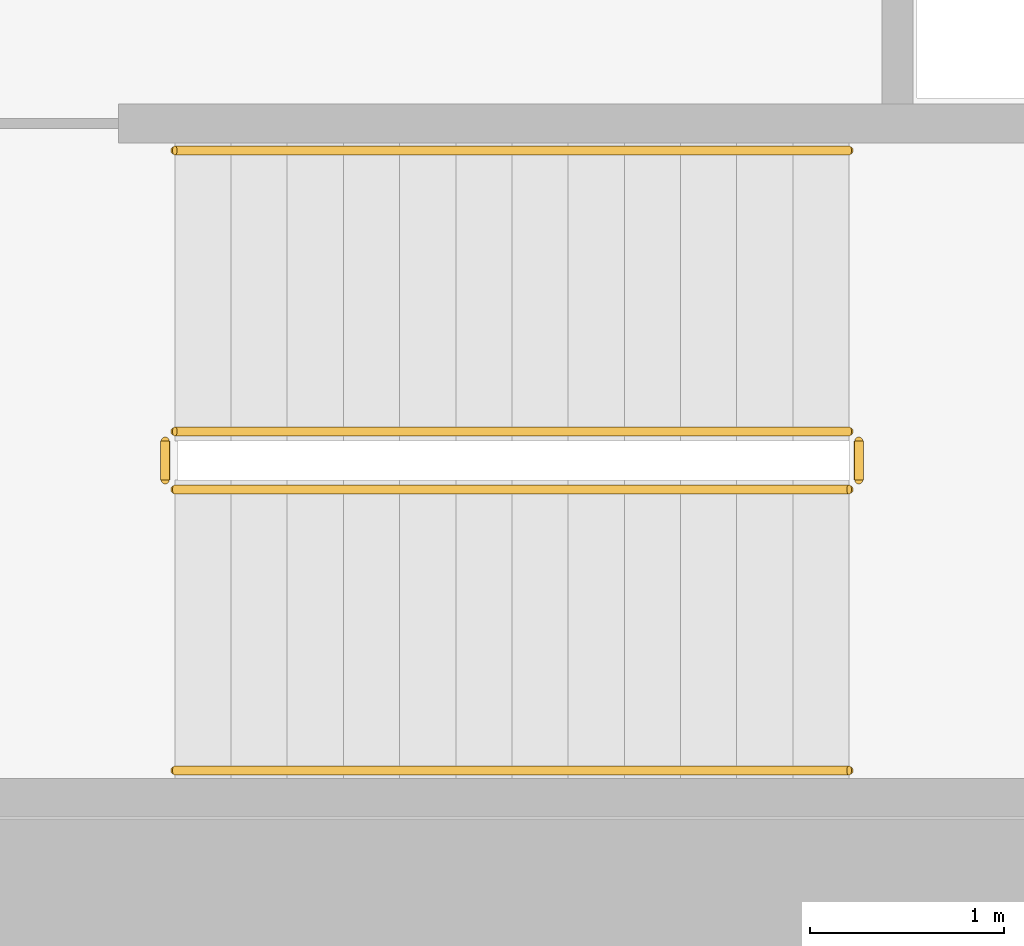
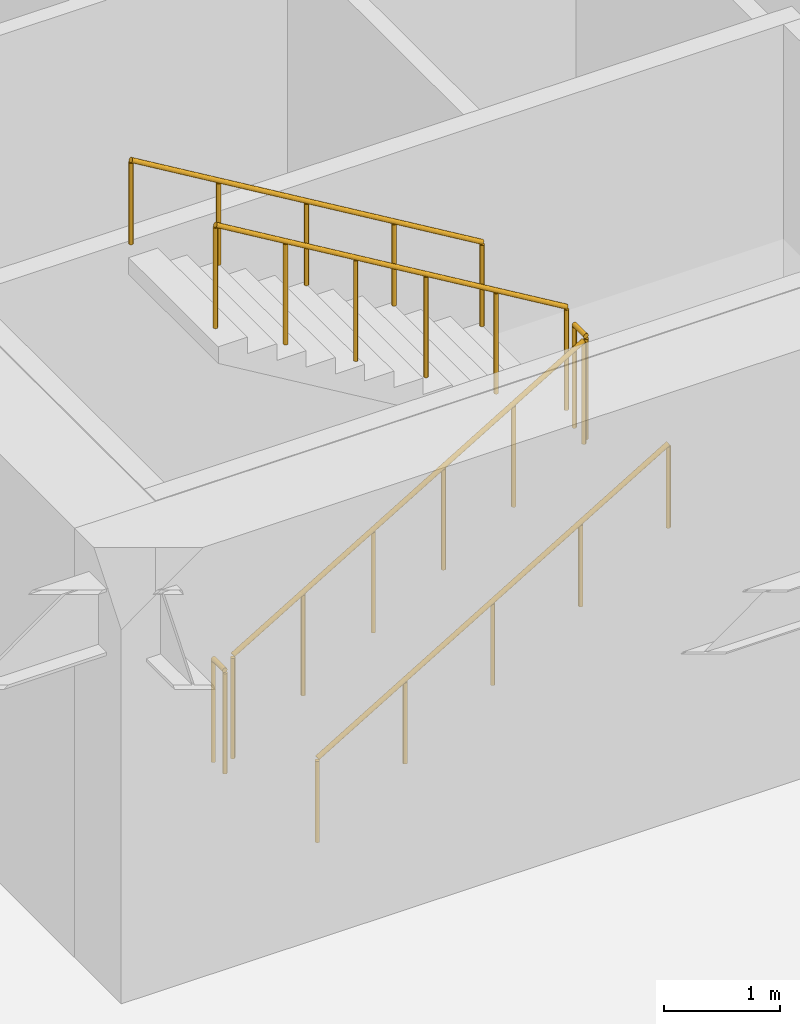
# One storey, part 8 of 10: 6 railings.
"""IFC4 building model written with IfcOpenShell, lengths in metres."""

import ifcopenshell
import ifcopenshell.guid

model = None  # the IFC model being written
_history = None  # IfcOwnerHistory: only IFC2X3 demands one
_inside = {}  # id of a spatial element -> (the spatial element, [elements in it])
_under = {}  # id of a project, library or spatial element -> (it, [spatial elements below it])
_declared = {}  # id of a project -> (the project, [libraries it declares])
_typed = {}  # id of a type object -> (the type object, [elements of that type])
_made_of = {}  # id of a material, layer set ... -> (it, [elements and type objects made of it])


def new_model(schema):
    """Start an empty IFC model of exactly this schema.

    Asked for "IFC4X3", IfcOpenShell would pick the latest addendum, in which some entities
    have other attributes; the version numbers below select the first issue.
    IFC2X3 requires an IfcOwnerHistory on every rooted entity: one is made here for all.
    """
    global model, _history
    if schema == "IFC4X3":
        model = ifcopenshell.file(schema_version=(4, 3, 0, 0))
    else:
        model = ifcopenshell.file(schema=schema)
    _inside.clear()
    _under.clear()
    _declared.clear()
    _typed.clear()
    _made_of.clear()
    _history = None
    if model.schema == "IFC2X3":
        org = make("IfcOrganization", Name="unknown")
        user = make(
            "IfcPersonAndOrganization",
            ThePerson=make("IfcPerson", FamilyName="unknown"),
            TheOrganization=org,
        )
        app = make(
            "IfcApplication",
            ApplicationDeveloper=org,
            Version="unknown",
            ApplicationFullName="unknown",
            ApplicationIdentifier="unknown",
        )
        _history = make(
            "IfcOwnerHistory",
            OwningUser=user,
            OwningApplication=app,
            ChangeAction="ADDED",
            CreationDate=0,
        )
    return model


def make(cls, **values):
    """One entity of the class cls with the attributes given. An attribute that is None is left unset."""
    return model.create_entity(
        cls, **{name: value for name, value in values.items() if value is not None}
    )


def rooted(cls, **values):
    """An entity with a GlobalId (a new one), such as an element, a storey or a relation."""
    return make(cls, GlobalId=ifcopenshell.guid.new(), OwnerHistory=_history, **values)


def si_unit(unit_type, name, prefix=None):
    """IfcSIUnit, for example si_unit("LENGTHUNIT", "METRE", prefix="MILLI")."""
    return make("IfcSIUnit", UnitType=unit_type, Prefix=prefix, Name=name)


def assignment(units):
    """IfcUnitAssignment: the units of a project."""
    return None if units is None else make("IfcUnitAssignment", Units=units)


def point(xyz):
    """IfcCartesianPoint."""
    return None if xyz is None else make("IfcCartesianPoint", Coordinates=xyz)


def direction(xyz):
    """IfcDirection."""
    return None if xyz is None else make("IfcDirection", DirectionRatios=xyz)


def frame(location, z_axis=None, x_axis=None):
    """IfcAxis2Placement3D, a coordinate frame: its origin and axes. An axis left out is left unset."""
    return make(
        "IfcAxis2Placement3D",
        Location=point(location),
        Axis=direction(z_axis),
        RefDirection=direction(x_axis),
    )


def frame_2d(location, x_axis=None):
    """IfcAxis2Placement2D, a coordinate frame in the plane: its origin and x axis."""
    return make(
        "IfcAxis2Placement2D", Location=point(location), RefDirection=direction(x_axis)
    )


def origin():
    """The frame at (0, 0, 0) with its axes left unset."""
    return frame((0.0, 0.0, 0.0))


def origin_2d():
    """The frame at (0, 0) in the plane with its x axis left unset."""
    return frame_2d((0.0, 0.0))


def place(relative_to, where):
    """IfcLocalPlacement: puts the frame where relative to a parent placement (None: the world)."""
    return make(
        "IfcLocalPlacement", PlacementRelTo=relative_to, RelativePlacement=where
    )


def context(
    kind, dimensions, precision=None, world=None, true_north=None, identifier=None
):
    """IfcGeometricRepresentationContext, for example the 3D "Model" context."""
    return make(
        "IfcGeometricRepresentationContext",
        ContextIdentifier=identifier,
        ContextType=kind,
        CoordinateSpaceDimension=dimensions,
        Precision=precision,
        WorldCoordinateSystem=world,
        TrueNorth=true_north,
    )


def subcontext(parent, identifier, kind, view, scale=None):
    """IfcGeometricRepresentationSubContext, for example "Body" below "Model"."""
    return make(
        "IfcGeometricRepresentationSubContext",
        ContextIdentifier=identifier,
        ContextType=kind,
        ParentContext=parent,
        TargetScale=scale,
        TargetView=view,
    )


def project(units=None, contexts=None):
    """IfcProject with its units and contexts."""
    return rooted(
        "IfcProject",
        Name="project",
        RepresentationContexts=contexts,
        UnitsInContext=assignment(units),
    )


def spatial(cls, under=None, at=None, **own):
    """A site, building, storey or space (cls), placed at a placement, below another one or the project."""
    s = rooted(cls, ObjectPlacement=at, **own)
    if under is not None:
        _under.setdefault(under.id(), (under, []))[1].append(s)
    return s


def profile(cls, at=None, kind="AREA", **sizes):
    """A parametric profile (cls). Its sizes go by their IFC names, for example OverallWidth=200.0."""
    return make(cls, ProfileType=kind, Position=at, **sizes)


def circle(**sizes):
    """IfcCircleProfileDef."""
    return profile("IfcCircleProfileDef", **sizes)


def extrude(swept, where, along, depth):
    """IfcExtrudedAreaSolid: the profile swept, set in the frame where, extruded along a direction by depth."""
    return make(
        "IfcExtrudedAreaSolid",
        SweptArea=swept,
        Position=where,
        ExtrudedDirection=direction(along),
        Depth=depth,
    )


def shape(context_of_items, identifier, shape_type, items):
    """IfcShapeRepresentation: the items that make up one representation, for example the "Body"."""
    return make(
        "IfcShapeRepresentation",
        ContextOfItems=context_of_items,
        RepresentationIdentifier=identifier,
        RepresentationType=shape_type,
        Items=items,
    )


def material(Name=None, Category=None):
    """IfcMaterial."""
    return make("IfcMaterial", Name=Name, Category=Category)


def made_of(thing, what):
    """Note that an element or type object is made of a material, layer set ...; save() writes the relation."""
    if what is not None:
        _made_of.setdefault(what.id(), (what, []))[1].append(thing)
    return thing


def type_object(cls, material=None, **own):
    """A type object (cls), such as IfcWallType, which elements share."""
    return made_of(rooted(cls, **own), material)


def element(
    cls,
    number,
    at=None,
    inside=None,
    cuts=None,
    type_object=None,
    material=None,
    context=None,
    identifier="Body",
    shape_type=None,
    held_by="IfcProductDefinitionShape",
    body=None,
    shapes=None,
    **own,
):
    """One element of the class cls, such as IfcWall. Its Tag is "e" and its number.

    at: its placement. inside: the storey or other place that contains it. cuts: it is an
    opening in that element (IfcRelVoidsElement). A single representation is given by context,
    identifier, shape_type and body (its items); several are given by shapes. held_by: the class
    of the entity that holds the representations. save() writes the other relations.
    """
    e = rooted(cls, Tag="e%d" % number, ObjectPlacement=at, **own)
    if body is not None:
        shapes = [shape(context, identifier, shape_type, body)]
    if shapes is not None:
        e.Representation = make(held_by, Representations=shapes)
    if inside is not None:
        _inside.setdefault(inside.id(), (inside, []))[1].append(e)
    if cuts is not None:
        rooted(
            "IfcRelVoidsElement", RelatingBuildingElement=cuts, RelatedOpeningElement=e
        )
    if type_object is not None:
        _typed.setdefault(type_object.id(), (type_object, []))[1].append(e)
    return made_of(e, material)


def aggregate(whole, parts):
    """IfcRelAggregates: a whole, such as a stair, and the parts it consists of."""
    return rooted("IfcRelAggregates", RelatingObject=whole, RelatedObjects=parts)


def save(model, path):
    """Write the relations noted so far, then the file.

    IfcRelAggregates (storeys below a building ...), IfcRelContainedInSpatialStructure (elements
    in a storey), IfcRelDefinesByType, IfcRelAssociatesMaterial and IfcRelDeclares: one each for
    every whole, place, type object, material and project.
    """
    for whole, parts in _under.values():
        aggregate(whole, parts)
    for where, things in _inside.values():
        rooted(
            "IfcRelContainedInSpatialStructure",
            RelatedElements=things,
            RelatingStructure=where,
        )
    for kind, things in _typed.values():
        rooted("IfcRelDefinesByType", RelatedObjects=things, RelatingType=kind)
    for what, things in _made_of.values():
        rooted("IfcRelAssociatesMaterial", RelatedObjects=things, RelatingMaterial=what)
    for by, libraries in _declared.values():
        rooted("IfcRelDeclares", RelatingContext=by, RelatedDefinitions=libraries)
    model.write(path)


model = new_model("IFC4")

# Units and contexts
model_context = context("Model", 3, precision=1e-05, world=origin(), true_north=direction((0.0, 1.0)))
body_context = subcontext(model_context, "Body", "Model", "MODEL_VIEW")
ifc_project = project(units=[si_unit("LENGTHUNIT", "METRE"), si_unit("AREAUNIT", "SQUARE_METRE"), si_unit("VOLUMEUNIT", "CUBIC_METRE"), si_unit("PLANEANGLEUNIT", "RADIAN"), si_unit("MASSUNIT", "GRAM", prefix="KILO")], contexts=[model_context])

# Site, building, storey
site_placement = place(None, origin())
site = spatial("IfcSite", under=ifc_project, at=site_placement, CompositionType="ELEMENT")
building_placement = place(site_placement, origin())
building = spatial("IfcBuilding", under=site, at=building_placement, Name="Putna Gate Headquarters", CompositionType="ELEMENT")
storey_placement = place(building_placement, frame((0.0, 0.0, -9.0)))
storey = spatial("IfcBuildingStorey", under=building, at=storey_placement, Name="B02", CompositionType="ELEMENT", Elevation=-9.0)

# Railings
ifc_material_1 = material(Name="Powder-coated steel stair guardrail", Category="steel")
railing_type_1 = type_object("IfcRailingType", Name="RAIL-STAIR-GUARD-1100", PredefinedType="GUARDRAIL", material=ifc_material_1)
railing_1_placement = place(storey_placement, frame((15.14990234375, 21.10009765625, 0.173095703125)))
element("IfcRailing", 1, at=railing_1_placement, inside=storey, type_object=railing_type_1, Name="B02 ST1 stair guard 1", PredefinedType="GUARDRAIL", context=body_context, shape_type="SweptSolid", body=[
    extrude(circle(Radius=0.02392578125, at=origin_2d()), frame((0.0, 0.0, 1.076171875), z_axis=(0.858697190188, 0.0, 0.512483302717), x_axis=(0.0, 1.0, 0.0)), (0.0, 0.0, 1.0), 4.052734375),
    extrude(circle(Radius=0.02099609375, at=origin_2d()), origin(), (0.0, 0.0, 1.0), 1.052001953125),
    extrude(circle(Radius=0.02099609375, at=origin_2d()), frame((0.696044921875, 0.0, 0.415283203125)), (0.0, 0.0, 1.0), 1.052001953125),
    extrude(circle(Radius=0.02099609375, at=origin_2d()), frame((1.39208984375, 0.0, 0.830810546875)), (0.0, 0.0, 1.0), 1.052001953125),
    extrude(circle(Radius=0.02099609375, at=origin_2d()), frame((2.087890625, 0.0, 1.24609375)), (0.0, 0.0, 1.0), 1.052001953125),
    extrude(circle(Radius=0.02099609375, at=origin_2d()), frame((2.783935546875, 0.0, 1.66162109375)), (0.0, 0.0, 1.0), 1.052001953125),
    extrude(circle(Radius=0.02099609375, at=origin_2d()), frame((3.47998046875, 0.0, 2.076904296875)), (0.0, 0.0, 1.0), 1.052001953125),
])
railing_2_placement = place(storey_placement, frame((18.679931640625, 21.14990234375, 2.25)))
element("IfcRailing", 2, at=railing_2_placement, inside=storey, type_object=railing_type_1, Name="B02 ST1 stair guard 2", PredefinedType="GUARDRAIL", context=body_context, shape_type="SweptSolid", body=[
    extrude(circle(Radius=0.02392578125, at=origin_2d()), frame((0.0, 0.0, 1.076171875), z_axis=(0.0, 1.0, 0.0), x_axis=(-1.0, 0.0, 0.0)), (0.0, 0.0, 1.0), 0.2001953125),
    extrude(circle(Radius=0.02099609375, at=origin_2d()), origin(), (0.0, 0.0, 1.0), 1.052001953125),
    extrude(circle(Radius=0.02099609375, at=origin_2d()), frame((0.0, 0.2001953125, 0.0)), (0.0, 0.0, 1.0), 1.052001953125),
])
railing_3_placement = place(storey_placement, frame((18.6298828125, 21.39990234375, 2.423095703125)))
element("IfcRailing", 3, at=railing_3_placement, inside=storey, type_object=railing_type_1, Name="B02 ST1 stair guard 3", PredefinedType="GUARDRAIL", context=body_context, shape_type="SweptSolid", body=[
    extrude(circle(Radius=0.02392578125, at=origin_2d()), frame((0.0, 0.0, 1.076171875), z_axis=(-0.858697190188, 0.0, 0.512483302717), x_axis=(0.0, -1.0, 0.0)), (0.0, 0.0, 1.0), 4.052734375),
    extrude(circle(Radius=0.02099609375, at=origin_2d()), origin(), (0.0, 0.0, 1.0), 1.052001953125),
    extrude(circle(Radius=0.02099609375, at=origin_2d()), frame((-0.696044921875, 0.0, 0.415283203125)), (0.0, 0.0, 1.0), 1.052001953125),
    extrude(circle(Radius=0.02099609375, at=origin_2d()), frame((-1.39208984375, 0.0, 0.830810546875)), (0.0, 0.0, 1.0), 1.052001953125),
    extrude(circle(Radius=0.02099609375, at=origin_2d()), frame((-2.087890625, 0.0, 1.24609375)), (0.0, 0.0, 1.0), 1.052001953125),
    extrude(circle(Radius=0.02099609375, at=origin_2d()), frame((-2.783935546875, 0.0, 1.66162109375)), (0.0, 0.0, 1.0), 1.052001953125),
    extrude(circle(Radius=0.02099609375, at=origin_2d()), frame((-3.47998046875, 0.0, 2.076904296875)), (0.0, 0.0, 1.0), 1.052001953125),
])
railing_4_placement = place(storey_placement, frame((15.10009765625, 21.14990234375, 0.0)))
element("IfcRailing", 4, at=railing_4_placement, inside=storey, type_object=railing_type_1, Name="B02 ST1 stair guard 4", PredefinedType="GUARDRAIL", context=body_context, shape_type="SweptSolid", body=[
    extrude(circle(Radius=0.02392578125, at=origin_2d()), frame((0.0, 0.0, 1.076171875), z_axis=(0.0, 1.0, 0.0), x_axis=(-1.0, 0.0, 0.0)), (0.0, 0.0, 1.0), 0.2001953125),
    extrude(circle(Radius=0.02099609375, at=origin_2d()), origin(), (0.0, 0.0, 1.0), 1.052001953125),
    extrude(circle(Radius=0.02099609375, at=origin_2d()), frame((0.0, 0.2001953125, 0.0)), (0.0, 0.0, 1.0), 1.052001953125),
])
ifc_material_2 = material(Name="Brushed stainless steel handrail", Category="steel")
railing_type_2 = type_object("IfcRailingType", Name="RAIL-STAIR-HAND-900", PredefinedType="HANDRAIL", material=ifc_material_2)
railing_5_placement = place(storey_placement, frame((15.14990234375, 19.64990234375, 0.173095703125)))
element("IfcRailing", 5, at=railing_5_placement, inside=storey, type_object=railing_type_2, Name="B02 ST1 stair handrail 1", PredefinedType="HANDRAIL", context=body_context, shape_type="SweptSolid", body=[
    extrude(circle(Radius=0.02392578125, at=origin_2d()), frame((0.0, 0.0, 0.8759765625), z_axis=(0.858697190188, 0.0, 0.512483302717), x_axis=(0.0, 1.0, 0.0)), (0.0, 0.0, 1.0), 4.052734375),
    extrude(circle(Radius=0.02099609375, at=origin_2d()), origin(), (0.0, 0.0, 1.0), 0.851806640625),
    extrude(circle(Radius=0.02099609375, at=origin_2d()), frame((0.8701171875, 0.0, 0.519287109375)), (0.0, 0.0, 1.0), 0.851806640625),
    extrude(circle(Radius=0.02099609375, at=origin_2d()), frame((1.739990234375, 0.0, 1.03857421875)), (0.0, 0.0, 1.0), 0.851806640625),
    extrude(circle(Radius=0.02099609375, at=origin_2d()), frame((2.60986328125, 0.0, 1.5576171875)), (0.0, 0.0, 1.0), 0.851806640625),
    extrude(circle(Radius=0.02099609375, at=origin_2d()), frame((3.47998046875, 0.0, 2.076904296875)), (0.0, 0.0, 1.0), 0.851806640625),
])
railing_6_placement = place(storey_placement, frame((18.6298828125, 22.85009765625, 2.423095703125)))
element("IfcRailing", 6, at=railing_6_placement, inside=storey, type_object=railing_type_2, Name="B02 ST1 stair handrail 2", PredefinedType="HANDRAIL", context=body_context, shape_type="SweptSolid", body=[
    extrude(circle(Radius=0.02392578125, at=origin_2d()), frame((0.0, 0.0, 0.8759765625), z_axis=(-0.858697190188, 0.0, 0.512483302717), x_axis=(0.0, -1.0, 0.0)), (0.0, 0.0, 1.0), 4.052734375),
    extrude(circle(Radius=0.02099609375, at=origin_2d()), origin(), (0.0, 0.0, 1.0), 0.851806640625),
    extrude(circle(Radius=0.02099609375, at=origin_2d()), frame((-0.8701171875, 0.0, 0.519287109375)), (0.0, 0.0, 1.0), 0.851806640625),
    extrude(circle(Radius=0.02099609375, at=origin_2d()), frame((-1.739990234375, 0.0, 1.03857421875)), (0.0, 0.0, 1.0), 0.851806640625),
    extrude(circle(Radius=0.02099609375, at=origin_2d()), frame((-2.60986328125, 0.0, 1.5576171875)), (0.0, 0.0, 1.0), 0.851806640625),
    extrude(circle(Radius=0.02099609375, at=origin_2d()), frame((-3.47998046875, 0.0, 2.076904296875)), (0.0, 0.0, 1.0), 0.851806640625),
])

save(model, "model.ifc")
